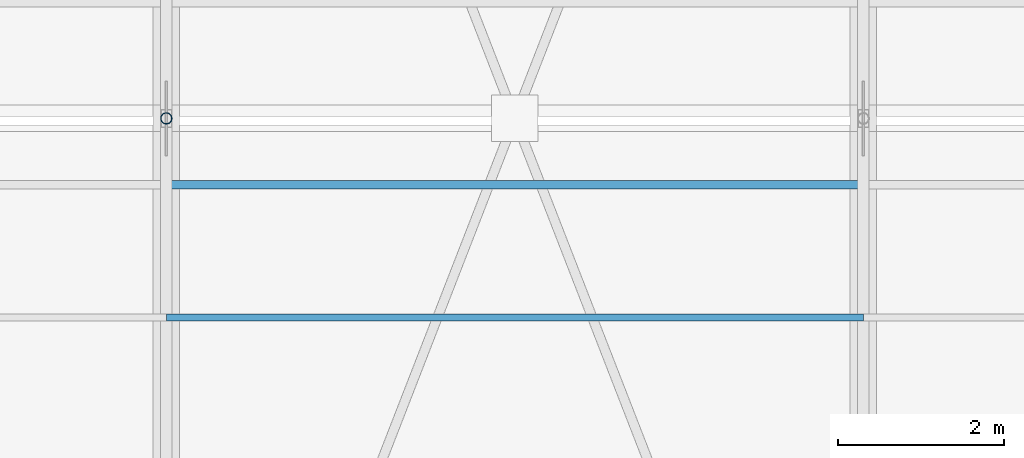
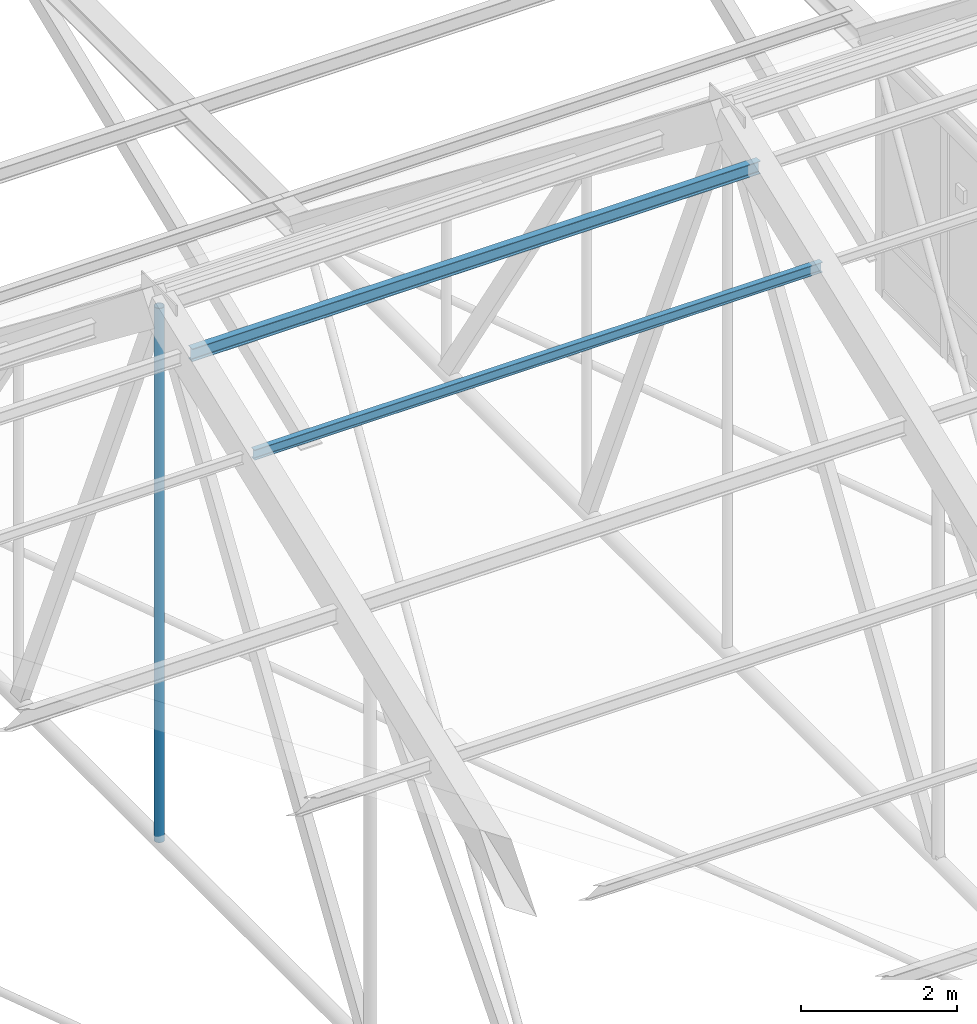
# One storey, part 125 of 217: 3 members.
"""IFC4 building model written with IfcOpenShell, lengths in metres."""

from ifc_helpers import new_model, si_unit, direction, frame, origin, origin_2d, place, context, subcontext, project, spatial, hollow_circle, i_section, extrude, material, material_profile, profile_set, type_object, element, save


model = new_model("IFC4")

# Units and contexts
model_context = context("Model", 3, precision=1e-05, world=origin(), true_north=direction((0.0, 1.0)))
body_context = subcontext(model_context, "Body", "Model", "MODEL_VIEW")
ifc_project = project(units=[si_unit("LENGTHUNIT", "METRE"), si_unit("AREAUNIT", "SQUARE_METRE"), si_unit("VOLUMEUNIT", "CUBIC_METRE"), si_unit("PLANEANGLEUNIT", "RADIAN"), si_unit("MASSUNIT", "GRAM", prefix="KILO")], contexts=[model_context])

# Site, building, storey
site_placement = place(None, origin())
site = spatial("IfcSite", under=ifc_project, at=site_placement, CompositionType="ELEMENT")
building_placement = place(site_placement, origin())
building = spatial("IfcBuilding", under=site, at=building_placement, Name="Mazaris Harbour Polytechnic", CompositionType="ELEMENT")
storey_placement = place(building_placement, frame((0.0, 0.0, 9.60009765625)))
storey = spatial("IfcBuildingStorey", under=building, at=storey_placement, Name="L02", CompositionType="ELEMENT", Elevation=9.60009765625)

# Members
ifc_material_1 = material(Name="Steel S355", Category="steel")
ifc_material_profile_1 = material_profile(ifc_material_1, i_section(OverallWidth=0.08203125, OverallDepth=0.159912109375, WebThickness=0.0048828125, FlangeThickness=0.00732421875, FilletRadius=0.009033203125, at=origin_2d()), Name="IPE 160")
ifc_profile_set_1 = profile_set([ifc_material_profile_1], Name="Steel S355")
member_type_1 = type_object("IfcMemberType", Name="Steel Purlin IPE160", PredefinedType="PURLIN", material=ifc_profile_set_1)
member_1_placement = place(storey_placement, frame((96.0, 94.800048828125, 11.23779296875), z_axis=(1.0, 0.0, 0.0), x_axis=(0.0, 1.0, 0.0)))
element("IfcMember", 1, at=member_1_placement, inside=storey, type_object=member_type_1, Name="V1 Roof Purlin S-117", PredefinedType="PURLIN", context=body_context, shape_type="SweptSolid", body=[
    extrude(i_section(OverallWidth=0.08203125, OverallDepth=0.159912109375, WebThickness=0.0048828125, FlangeThickness=0.00732421875, FilletRadius=0.009033203125, at=origin_2d()), origin(), (0.0, 0.0, 1.0), 8.39990234375),
])
ifc_material_2 = material(Name="Steel S355", Category="steel")
ifc_material_profile_2 = material_profile(ifc_material_2, i_section(OverallWidth=0.10009765625, OverallDepth=0.199951171875, WebThickness=0.005615234375, FlangeThickness=0.008544921875, FilletRadius=0.011962890625, at=origin_2d()), Name="IPE 200")
ifc_profile_set_2 = profile_set([ifc_material_profile_2], Name="Steel S355")
member_type_2 = type_object("IfcMemberType", Name="Steel Purlin IPE200", PredefinedType="PURLIN", material=ifc_profile_set_2)
member_2_placement = place(storey_placement, frame((96.0, 96.39990234375, 11.833740234375), z_axis=(1.0, 0.0, 0.0), x_axis=(0.0, 1.0, 0.0)))
element("IfcMember", 2, at=member_2_placement, inside=storey, type_object=member_type_2, Name="V1 Roof Purlin S-118", PredefinedType="PURLIN", context=body_context, shape_type="SweptSolid", body=[
    extrude(i_section(OverallWidth=0.10009765625, OverallDepth=0.199951171875, WebThickness=0.005615234375, FlangeThickness=0.008544921875, FilletRadius=0.011962890625, at=origin_2d()), origin(), (0.0, 0.0, 1.0), 8.39990234375),
])
ifc_material_3 = material(Name="Steel S355", Category="steel")
ifc_material_profile_3 = material_profile(ifc_material_3, hollow_circle(Radius=0.06982421875, WallThickness=0.008056640625, at=origin_2d()), Name="CHS 139.7x8.0")
ifc_profile_set_3 = profile_set([ifc_material_profile_3], Name="Steel S355")
member_type_3 = type_object("IfcMemberType", Name="Steel Truss Strut CHS139", PredefinedType="STRUT", material=ifc_profile_set_3)
member_3_placement = place(storey_placement, frame((96.0, 97.199951171875, 3.75), z_axis=(0.0, 0.0, 1.0), x_axis=(1.0, 0.0, 0.0)))
element("IfcMember", 3, at=member_3_placement, inside=storey, type_object=member_type_3, Name="Truss 6 Web Post S4", PredefinedType="STRUT", context=body_context, shape_type="SweptSolid", body=[
    extrude(hollow_circle(Radius=0.06982421875, WallThickness=0.008056640625, at=origin_2d()), origin(), (0.0, 0.0, 1.0), 8.349853515625),
])

save(model, "model.ifc")
